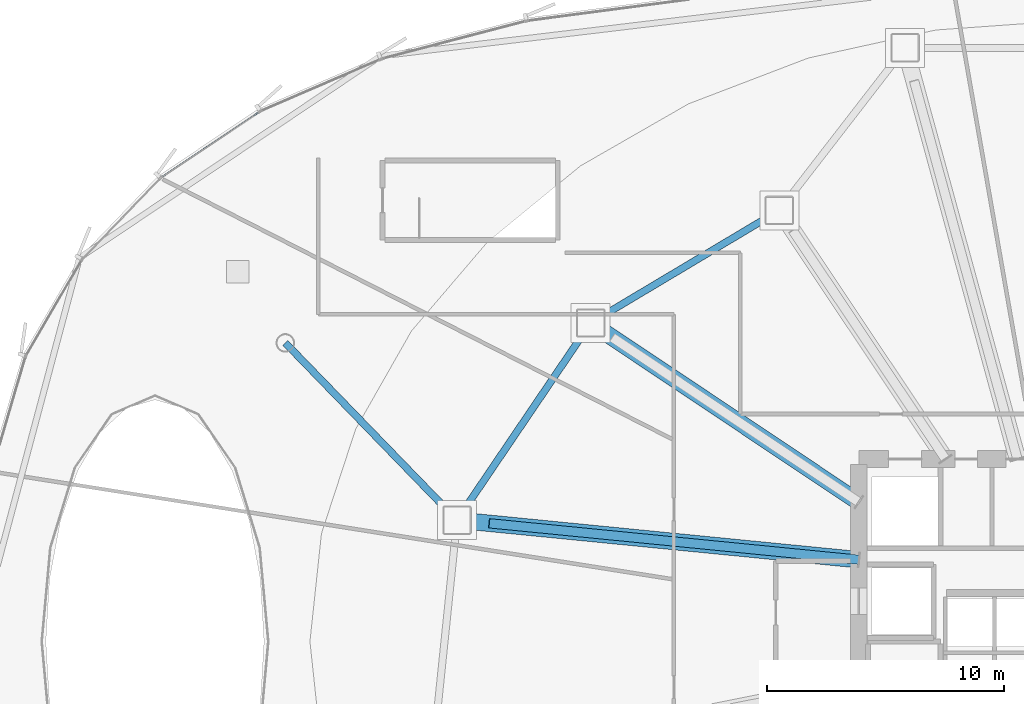
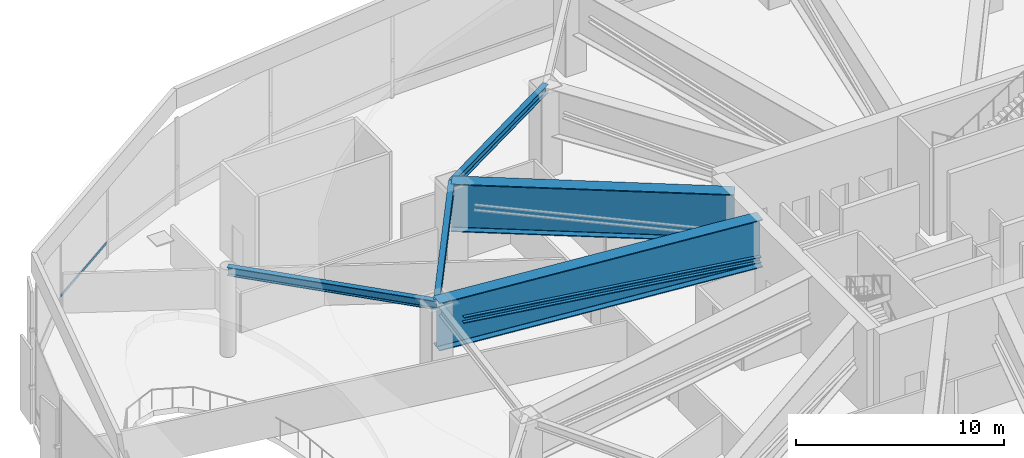
# One storey, part 13 of 36: 5 beams, 2 members, 1 element without a shape of its own.
"""IFC4 building model written with IfcOpenShell, lengths in metres."""

from ifc_helpers import new_model, si_unit, direction, frame, origin, origin_2d, place, context, subcontext, project, spatial, hollow_rectangle, i_section, extrude, source, transform, mapped, material, layer, layer_set, material_profile, profile_set, type_object, element, aggregate, save


model = new_model("IFC4")

# Units and contexts
model_context = context("Model", 3, precision=1e-05, world=origin(), true_north=direction((0.0, 1.0)))
body_context = subcontext(model_context, "Body", "Model", "MODEL_VIEW")
ifc_project = project(units=[si_unit("LENGTHUNIT", "METRE"), si_unit("AREAUNIT", "SQUARE_METRE"), si_unit("VOLUMEUNIT", "CUBIC_METRE"), si_unit("PLANEANGLEUNIT", "RADIAN"), si_unit("MASSUNIT", "GRAM", prefix="KILO"), si_unit("THERMODYNAMICTEMPERATUREUNIT", "KELVIN")], contexts=[model_context])

# Site, building, storey
site_placement = place(None, origin())
site = spatial("IfcSite", under=ifc_project, at=site_placement, CompositionType="ELEMENT")
building_placement = place(site_placement, origin())
building = spatial("IfcBuilding", under=site, at=building_placement, Name="Kethvar Cultural Tower", CompositionType="ELEMENT")
storey_placement = place(building_placement, frame((0.0, 0.0, 24.0)))
storey = spatial("IfcBuildingStorey", under=building, at=storey_placement, Name="L05", CompositionType="ELEMENT", Elevation=24.0)

# Beams
ifc_material_1 = material(Name="Steel S355J2", Category="steel")
ifc_material_profile_1 = material_profile(ifc_material_1, i_section(OverallWidth=0.300048828125, OverallDepth=0.5, WebThickness=0.014404296875, FlangeThickness=0.028076171875, FilletRadius=0.027099609375, at=origin_2d()), Name="Steel S355J2 — HEB500")
ifc_profile_set_1 = profile_set([ifc_material_profile_1], Name="Steel S355J2 — HEB500")
beam_type_1 = type_object("IfcBeamType", Name="BM-SP500", PredefinedType="SPANDREL", material=ifc_profile_set_1)
shared_shape_1 = source(origin(), body_context, "Body", "SweptSolid", [
    extrude(i_section(OverallWidth=0.300048828125, OverallDepth=0.5, WebThickness=0.014404296875, FlangeThickness=0.028076171875, FilletRadius=0.027099609375, at=origin_2d()), origin(), (0.0, 0.0, 1.0), 9.270263671875),
])
beam_1_placement = place(storey_placement, frame((34.64599609375, 45.98974609375, 4.865966796875), z_axis=(-0.858814626354, -0.51228647997, 0.0), x_axis=(0.51228647997, -0.858814626354, 0.0)))
element("IfcBeam", 1, at=beam_1_placement, inside=storey, type_object=beam_type_1, Name="L05 Podium Ring Beam 06", PredefinedType="SPANDREL", context=body_context, shape_type="MappedRepresentation", body=[
    mapped(shared_shape_1, transform((0.0, 0.0, 0.0), scale=1.0)),
])
shared_shape_2 = source(origin(), body_context, "Body", "SweptSolid", [
    extrude(i_section(OverallWidth=0.300048828125, OverallDepth=0.5, WebThickness=0.014404296875, FlangeThickness=0.028076171875, FilletRadius=0.027099609375, at=origin_2d()), origin(), (0.0, 0.0, 1.0), 10.048583984375),
])
beam_2_placement = place(storey_placement, frame((26.6845703125, 41.24072265625, 4.865966796875), z_axis=(-0.561025415443, -0.827798576483, 0.0), x_axis=(0.827798576483, -0.561025415443, 0.0)))
element("IfcBeam", 2, at=beam_2_placement, inside=storey, type_object=beam_type_1, Name="L05 Podium Ring Beam 07", PredefinedType="SPANDREL", context=body_context, shape_type="MappedRepresentation", body=[
    mapped(shared_shape_2, transform((0.0, 0.0, 0.0), scale=1.0)),
])
shared_shape_3 = source(origin(), body_context, "Body", "SweptSolid", [
    extrude(i_section(OverallWidth=0.300048828125, OverallDepth=0.5, WebThickness=0.014404296875, FlangeThickness=0.028076171875, FilletRadius=0.027099609375, at=origin_2d()), origin(), (0.0, 0.0, 1.0), 10.4130859375),
])
beam_3_placement = place(storey_placement, frame((13.800048828125, 40.39990234375, 4.865966796875), z_axis=(0.695965659729, -0.718075066047, 0.0), x_axis=(0.718075066047, 0.695965659729, 0.0)))
element("IfcBeam", 3, at=beam_3_placement, inside=storey, type_object=beam_type_1, Name="L05 West Atrium Wing Beam 02", PredefinedType="SPANDREL", context=body_context, shape_type="MappedRepresentation", body=[
    mapped(shared_shape_3, transform((0.0, 0.0, 0.0), scale=1.0)),
])
ifc_material_2 = material(Name="Steel S460M", Category="steel")
ifc_material_profile_2 = material_profile(ifc_material_2, i_section(OverallWidth=0.699951171875, OverallDepth=2.800048828125, WebThickness=0.031982421875, FlangeThickness=0.050048828125, FilletRadius=0.02392578125, at=origin_2d()), Name="Steel S460M — PG2800x700x50x32")
ifc_profile_set_2 = profile_set([ifc_material_profile_2], Name="Steel S460M — PG2800x700x50x32")
beam_type_2 = type_object("IfcBeamType", Name="BM-TR2800", PredefinedType="BEAM", material=ifc_profile_set_2)
shared_shape_4 = source(origin(), body_context, "Body", "SweptSolid", [
    extrude(i_section(OverallWidth=0.699951171875, OverallDepth=2.800048828125, WebThickness=0.031982421875, FlangeThickness=0.050048828125, FilletRadius=0.02392578125, at=origin_2d()), origin(), (0.0, 0.0, 1.0), 13.60888671875),
])
beam_4_placement = place(storey_placement, frame((38.0, 33.679931640625, 3.716064453125), z_axis=(-0.831467486755, 0.555573414113, 0.0), x_axis=(-0.555573414113, -0.831467486755, 0.0)))
element("IfcBeam", 4, at=beam_4_placement, inside=storey, type_object=beam_type_2, Name="L05 Composite Transfer Girder TG-07", PredefinedType="BEAM", context=body_context, shape_type="MappedRepresentation", body=[
    mapped(shared_shape_4, transform((0.0, 0.0, 0.0), scale=1.0)),
])
shared_shape_5 = source(origin(), body_context, "Body", "SweptSolid", [
    extrude(i_section(OverallWidth=0.699951171875, OverallDepth=2.800048828125, WebThickness=0.031982421875, FlangeThickness=0.050048828125, FilletRadius=0.02392578125, at=origin_2d()), origin(), (0.0, 0.0, 1.0), 17.03515625),
])
beam_5_placement = place(storey_placement, frame((38.0, 31.25, 3.716064453125), z_axis=(-0.995168138859, 0.098185413375, 0.0), x_axis=(-0.098185413375, -0.995168138859, 0.0)))
element("IfcBeam", 5, at=beam_5_placement, inside=storey, type_object=beam_type_2, Name="L05 Composite Transfer Girder TG-08", PredefinedType="BEAM", context=body_context, shape_type="MappedRepresentation", body=[
    mapped(shared_shape_5, transform((0.0, 0.0, 0.0), scale=1.0)),
])

# Member
ifc_material_profile_3 = material_profile(ifc_material_2, i_section(OverallWidth=0.39306640625, OverallDepth=0.345947265625, WebThickness=0.0244140625, FlangeThickness=0.03759765625, FilletRadius=0.014892578125, at=origin_2d()), Name="Steel S460M — HD400x509")
ifc_profile_set_3 = profile_set([ifc_material_profile_3], Name="Steel S460M — HD400x509")
member_type_1 = type_object("IfcMemberType", Name="MB-TR-DIAG", PredefinedType="BRACE", material=ifc_profile_set_3)
shared_shape_6 = source(origin(), body_context, "Body", "SweptSolid", [
    extrude(i_section(OverallWidth=0.39306640625, OverallDepth=0.345947265625, WebThickness=0.0244140625, FlangeThickness=0.03759765625, FilletRadius=0.014892578125, at=origin_2d()), origin(), (0.0, 0.0, 1.0), 15.703125),
])
member_1_placement = place(storey_placement, frame((38.0, 31.25, 2.64990234375), z_axis=(-0.993225335874, 0.097994791998, 0.062453606133), x_axis=(-0.098186464926, -0.99516803511, 0.0)))
element("IfcMember", 6, at=member_1_placement, inside=storey, type_object=member_type_1, Name="L05 Transfer Truss Diagonal TD-08", PredefinedType="BRACE", context=body_context, shape_type="MappedRepresentation", body=[
    mapped(shared_shape_6, transform((0.0, 0.0, 0.0), scale=1.0)),
])

# Curtain wall, member
ifc_material_3 = material(Name="Aluminium 6063-T6", Category="aluminium")
ifc_layer = layer(ifc_material_3, 0.179931640625, Name="Aluminium 6063-T6", Category="aluminium")
ifc_layer_set = layer_set([ifc_layer], Name="Aluminium 6063-T6 (180 mm)")
curtain_wall_type = type_object("IfcCurtainWallType", Name="CW-SYS-01-POD", PredefinedType="NOTDEFINED", material=ifc_layer_set)
curtain_wall_placement = place(storey_placement, origin())
curtain_wall = element("IfcCurtainWall", 7, at=curtain_wall_placement, inside=storey, type_object=curtain_wall_type, Name="L05 Curtain Wall Run 03", PredefinedType="NOTDEFINED")
ifc_material_profile_4 = material_profile(ifc_material_3, hollow_rectangle(XDim=0.06005859375, YDim=0.139892578125, WallThickness=0.0048828125, at=origin_2d()), Name="Aluminium 6063-T6 — RHS140x60x5")
ifc_profile_set_4 = profile_set([ifc_material_profile_4], Name="Aluminium 6063-T6 — RHS140x60x5")
member_type_2 = type_object("IfcMemberType", Name="CW-SYS-01-POD-TRN", PredefinedType="USERDEFINED", material=ifc_profile_set_4)
shared_shape_7 = source(origin(), body_context, "Body", "SweptSolid", [
    extrude(hollow_rectangle(XDim=0.06005859375, YDim=0.139892578125, WallThickness=0.0048828125, at=origin_2d()), origin(), (0.0, 0.0, 1.0), 4.991455078125),
])
member_2_placement = place(storey_placement, frame((12.701171875, 50.14599609375, 0.949951171875), z_axis=(-0.830806616573, -0.556561196867, 0.0), x_axis=(0.556561196867, -0.830806616573, 0.0)))
member_2 = element("IfcMember", 8, at=member_2_placement, type_object=member_type_2, Name="CW-L05-R03 Transom 2", ObjectType="TRANSOM", PredefinedType="USERDEFINED", context=body_context, shape_type="MappedRepresentation", body=[
    mapped(shared_shape_7, transform((0.0, 0.0, 0.0), scale=1.0)),
])
aggregate(curtain_wall, [member_2])

save(model, "model.ifc")
